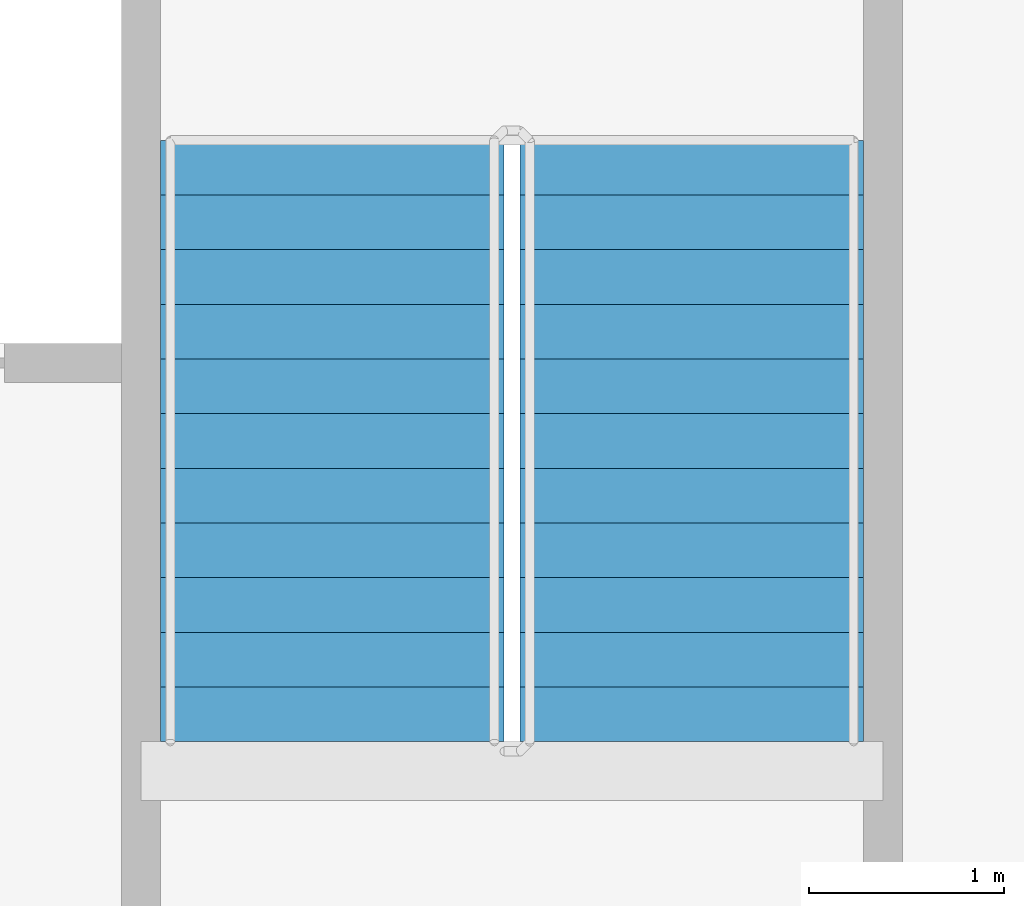
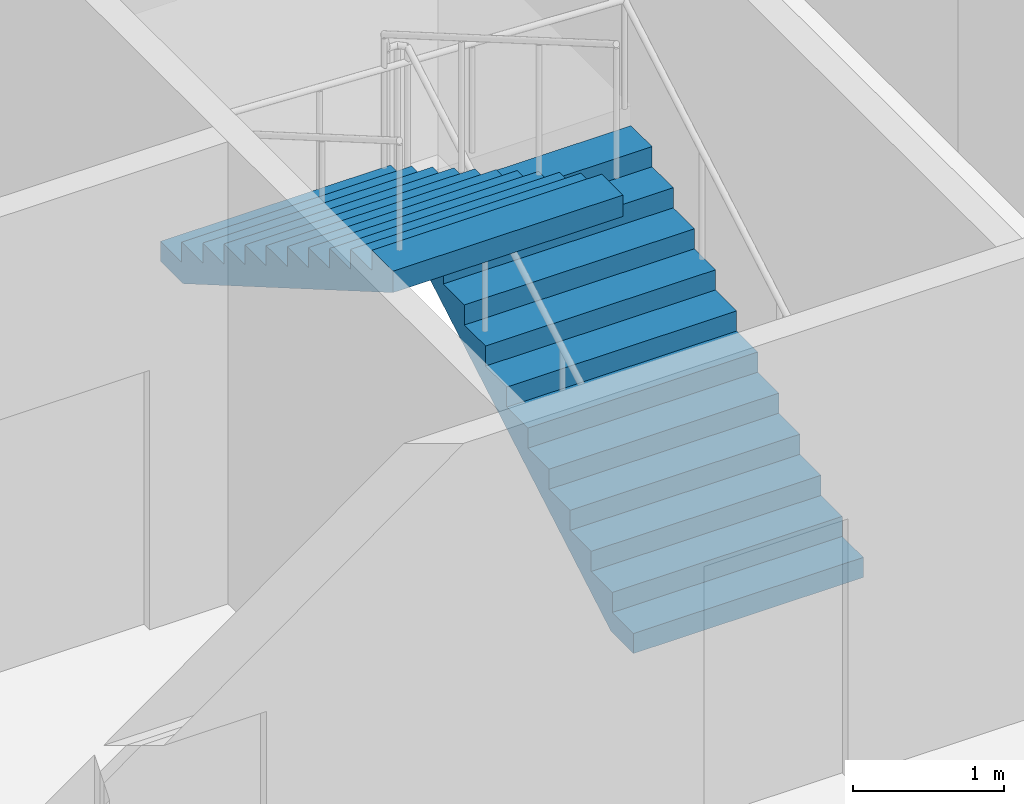
# One storey, part 9 of 14: 2 stair flights, 1 element without a shape of its own.
"""IFC4 building model written with IfcOpenShell, lengths in metres."""

from ifc_helpers import new_model, si_unit, direction, frame, origin, place, context, subcontext, project, spatial, faceted_brep, material, type_object, element, aggregate, save


model = new_model("IFC4")

# Units and contexts
model_context = context("Model", 3, precision=1e-05, world=origin(), true_north=direction((0.0, 1.0)))
body_context = subcontext(model_context, "Body", "Model", "MODEL_VIEW")
ifc_project = project(units=[si_unit("LENGTHUNIT", "METRE"), si_unit("AREAUNIT", "SQUARE_METRE"), si_unit("VOLUMEUNIT", "CUBIC_METRE"), si_unit("PLANEANGLEUNIT", "RADIAN"), si_unit("MASSUNIT", "GRAM", prefix="KILO")], contexts=[model_context])

# Site, building, storey
site_placement = place(None, origin())
site = spatial("IfcSite", under=ifc_project, at=site_placement, CompositionType="ELEMENT")
building_placement = place(site_placement, origin())
building = spatial("IfcBuilding", under=site, at=building_placement, Name="Tarsis Ring Headquarters", CompositionType="ELEMENT")
storey_placement = place(building_placement, frame((0.0, 0.0, 182.699951171875)))
storey = spatial("IfcBuildingStorey", under=building, at=storey_placement, Name="L42", CompositionType="ELEMENT", Elevation=182.699951171875)

# Stair, stair flights
ifc_material_1 = material(Name="Core stair 1760")
stair_type = type_object("IfcStairType", Name="Core stair 1760", PredefinedType="HALF_TURN_STAIR", material=ifc_material_1)
stair_placement = place(storey_placement, origin())
stair = element("IfcStair", 1, at=stair_placement, inside=storey, type_object=stair_type, Name="L42 Exit stair B", PredefinedType="HALF_TURN_STAIR")
ifc_material_2 = material(Name="Concrete C40/50", Category="concrete")
stair_flight_type = type_object("IfcStairFlightType", Name="Core stair flight 1760", PredefinedType="STRAIGHT", material=ifc_material_2)
stair_flight_1_placement = place(storey_placement, frame((5.419921875, 3.659912109375, 0.0), z_axis=(0.0, 0.0, 1.0), x_axis=(0.0, 1.0, 0.0)))
stair_flight_1 = element("IfcStairFlight", 2, at=stair_flight_1_placement, type_object=stair_flight_type, Name="Stair ST2 flight 1", NumberOfRisers=12, NumberOfTreads=11, PredefinedType="STRAIGHT", RiserHeight=0.1625, TreadLength=0.28, context=body_context, shape_type="Brep", body=[
    faceted_brep([(0.0, 0.8798828125, 0.0), (0.0, 0.8798828125, 0.16259765625), (0.280029296875, 0.8798828125, 0.16259765625), (0.280029296875, 0.8798828125, 0.324951171875), (0.56005859375, 0.8798828125, 0.324951171875), (0.56005859375, 0.8798828125, 0.487548828125), (0.840087890625, 0.8798828125, 0.487548828125), (0.840087890625, 0.8798828125, 0.64990234375), (1.1201171875, 0.8798828125, 0.64990234375), (1.1201171875, 0.8798828125, 0.8125), (1.39990234375, 0.8798828125, 0.8125), (1.39990234375, 0.8798828125, 0.97509765625), (1.679931640625, 0.8798828125, 0.97509765625), (1.679931640625, 0.8798828125, 1.137451171875), (1.9599609375, 0.8798828125, 1.137451171875), (1.9599609375, 0.8798828125, 1.300048828125), (2.239990234375, 0.8798828125, 1.300048828125), (2.239990234375, 0.8798828125, 1.46240234375), (2.52001953125, 0.8798828125, 1.46240234375), (2.52001953125, 0.8798828125, 1.625), (2.800048828125, 0.8798828125, 1.625), (2.800048828125, 0.8798828125, 1.78759765625), (3.080078125, 0.8798828125, 1.78759765625), (3.080078125, 0.8798828125, 1.6142578125), (0.298583984375, 0.8798828125, 0.0), (0.298583984375, -0.8798828125, 0.0), (3.080078125, -0.8798828125, 1.6142578125), (3.080078125, -0.8798828125, 1.78759765625), (2.800048828125, -0.8798828125, 1.78759765625), (2.800048828125, -0.8798828125, 1.625), (2.52001953125, -0.8798828125, 1.625), (2.52001953125, -0.8798828125, 1.46240234375), (2.239990234375, -0.8798828125, 1.46240234375), (2.239990234375, -0.8798828125, 1.300048828125), (1.9599609375, -0.8798828125, 1.300048828125), (1.9599609375, -0.8798828125, 1.137451171875), (1.679931640625, -0.8798828125, 1.137451171875), (1.679931640625, -0.8798828125, 0.97509765625), (1.39990234375, -0.8798828125, 0.97509765625), (1.39990234375, -0.8798828125, 0.8125), (1.1201171875, -0.8798828125, 0.8125), (1.1201171875, -0.8798828125, 0.64990234375), (0.840087890625, -0.8798828125, 0.64990234375), (0.840087890625, -0.8798828125, 0.487548828125), (0.56005859375, -0.8798828125, 0.487548828125), (0.56005859375, -0.8798828125, 0.324951171875), (0.280029296875, -0.8798828125, 0.324951171875), (0.280029296875, -0.8798828125, 0.16259765625), (0.0, -0.8798828125, 0.16259765625), (0.0, -0.8798828125, 0.0), (0.0, -0.43994140625, 0.16259765625), (0.0, -0.43994140625, 0.0), (0.0, 0.0, 0.16259765625), (0.0, 0.0, 0.0), (0.0, 0.43994140625, 0.16259765625), (0.0, 0.43994140625, 0.0), (0.280029296875, -0.43994140625, 0.16259765625), (0.280029296875, 0.0, 0.16259765625), (0.280029296875, 0.43994140625, 0.16259765625), (0.280029296875, -0.43994140625, 0.324951171875), (0.280029296875, 0.0, 0.324951171875), (0.280029296875, 0.43994140625, 0.324951171875), (0.56005859375, -0.43994140625, 0.324951171875), (0.56005859375, 0.0, 0.324951171875), (0.56005859375, 0.43994140625, 0.324951171875), (0.56005859375, -0.43994140625, 0.487548828125), (0.56005859375, 0.0, 0.487548828125), (0.56005859375, 0.43994140625, 0.487548828125), (0.840087890625, -0.43994140625, 0.487548828125), (0.840087890625, 0.0, 0.487548828125), (0.840087890625, 0.43994140625, 0.487548828125), (0.840087890625, -0.43994140625, 0.64990234375), (0.840087890625, 0.0, 0.64990234375), (0.840087890625, 0.43994140625, 0.64990234375), (1.1201171875, -0.43994140625, 0.64990234375), (1.1201171875, 0.0, 0.64990234375), (1.1201171875, 0.43994140625, 0.64990234375), (1.1201171875, -0.43994140625, 0.8125), (1.1201171875, 0.0, 0.8125), (1.1201171875, 0.43994140625, 0.8125), (1.39990234375, -0.43994140625, 0.8125), (1.39990234375, 0.0, 0.8125), (1.39990234375, 0.43994140625, 0.8125), (1.39990234375, -0.43994140625, 0.97509765625), (1.39990234375, 0.0, 0.97509765625), (1.39990234375, 0.43994140625, 0.97509765625), (1.679931640625, -0.43994140625, 0.97509765625), (1.679931640625, 0.0, 0.97509765625), (1.679931640625, 0.43994140625, 0.97509765625), (1.679931640625, -0.43994140625, 1.137451171875), (1.679931640625, 0.0, 1.137451171875), (1.679931640625, 0.43994140625, 1.137451171875), (1.9599609375, -0.43994140625, 1.137451171875), (1.9599609375, 0.0, 1.137451171875), (1.9599609375, 0.43994140625, 1.137451171875), (1.9599609375, -0.43994140625, 1.300048828125), (1.9599609375, 0.0, 1.300048828125), (1.9599609375, 0.43994140625, 1.300048828125), (2.239990234375, -0.43994140625, 1.300048828125), (2.239990234375, 0.0, 1.300048828125), (2.239990234375, 0.43994140625, 1.300048828125), (2.239990234375, -0.43994140625, 1.46240234375), (2.239990234375, 0.0, 1.46240234375), (2.239990234375, 0.43994140625, 1.46240234375), (2.52001953125, -0.43994140625, 1.46240234375), (2.52001953125, 0.0, 1.46240234375), (2.52001953125, 0.43994140625, 1.46240234375), (2.52001953125, -0.43994140625, 1.625), (2.52001953125, 0.0, 1.625), (2.52001953125, 0.43994140625, 1.625), (2.800048828125, -0.43994140625, 1.625), (2.800048828125, 0.0, 1.625), (2.800048828125, 0.43994140625, 1.625), (2.800048828125, -0.43994140625, 1.78759765625), (2.800048828125, 0.0, 1.78759765625), (2.800048828125, 0.43994140625, 1.78759765625), (3.080078125, -0.43994140625, 1.78759765625), (3.080078125, 0.0, 1.78759765625), (3.080078125, 0.43994140625, 1.78759765625), (3.080078125, -0.43994140625, 1.6142578125), (3.080078125, 0.0, 1.6142578125), (3.080078125, 0.43994140625, 1.6142578125), (0.298583984375, -0.43994140625, 0.0), (0.298583984375, 0.0, 0.0), (0.298583984375, 0.43994140625, 0.0)], [[[0, 1, 2, 3, 4, 5, 6, 7, 8, 9, 10, 11, 12, 13, 14, 15, 16, 17, 18, 19, 20, 21, 22, 23, 24]], [[25, 26, 27, 28, 29, 30, 31, 32, 33, 34, 35, 36, 37, 38, 39, 40, 41, 42, 43, 44, 45, 46, 47, 48, 49]], [[49, 48, 50, 51]], [[51, 50, 52, 53]], [[53, 52, 54, 55]], [[55, 54, 1, 0]], [[48, 47, 56, 50]], [[50, 56, 57, 52]], [[52, 57, 58, 54]], [[54, 58, 2, 1]], [[47, 46, 59, 56]], [[56, 59, 60, 57]], [[57, 60, 61, 58]], [[58, 61, 3, 2]], [[46, 45, 62, 59]], [[59, 62, 63, 60]], [[60, 63, 64, 61]], [[61, 64, 4, 3]], [[45, 44, 65, 62]], [[62, 65, 66, 63]], [[63, 66, 67, 64]], [[64, 67, 5, 4]], [[44, 43, 68, 65]], [[65, 68, 69, 66]], [[66, 69, 70, 67]], [[67, 70, 6, 5]], [[43, 42, 71, 68]], [[68, 71, 72, 69]], [[69, 72, 73, 70]], [[70, 73, 7, 6]], [[42, 41, 74, 71]], [[71, 74, 75, 72]], [[72, 75, 76, 73]], [[73, 76, 8, 7]], [[41, 40, 77, 74]], [[74, 77, 78, 75]], [[75, 78, 79, 76]], [[76, 79, 9, 8]], [[40, 39, 80, 77]], [[77, 80, 81, 78]], [[78, 81, 82, 79]], [[79, 82, 10, 9]], [[39, 38, 83, 80]], [[80, 83, 84, 81]], [[81, 84, 85, 82]], [[82, 85, 11, 10]], [[38, 37, 86, 83]], [[83, 86, 87, 84]], [[84, 87, 88, 85]], [[85, 88, 12, 11]], [[37, 36, 89, 86]], [[86, 89, 90, 87]], [[87, 90, 91, 88]], [[88, 91, 13, 12]], [[36, 35, 92, 89]], [[89, 92, 93, 90]], [[90, 93, 94, 91]], [[91, 94, 14, 13]], [[35, 34, 95, 92]], [[92, 95, 96, 93]], [[93, 96, 97, 94]], [[94, 97, 15, 14]], [[34, 33, 98, 95]], [[95, 98, 99, 96]], [[96, 99, 100, 97]], [[97, 100, 16, 15]], [[33, 32, 101, 98]], [[98, 101, 102, 99]], [[99, 102, 103, 100]], [[100, 103, 17, 16]], [[32, 31, 104, 101]], [[101, 104, 105, 102]], [[102, 105, 106, 103]], [[103, 106, 18, 17]], [[31, 30, 107, 104]], [[104, 107, 108, 105]], [[105, 108, 109, 106]], [[106, 109, 19, 18]], [[30, 29, 110, 107]], [[107, 110, 111, 108]], [[108, 111, 112, 109]], [[109, 112, 20, 19]], [[29, 28, 113, 110]], [[110, 113, 114, 111]], [[111, 114, 115, 112]], [[112, 115, 21, 20]], [[28, 27, 116, 113]], [[113, 116, 117, 114]], [[114, 117, 118, 115]], [[115, 118, 22, 21]], [[27, 26, 119, 116]], [[116, 119, 120, 117]], [[117, 120, 121, 118]], [[118, 121, 23, 22]], [[26, 25, 122, 119]], [[119, 122, 123, 120]], [[120, 123, 124, 121]], [[121, 124, 24, 23]], [[25, 49, 51, 122]], [[122, 51, 53, 123]], [[123, 53, 55, 124]], [[124, 55, 0, 24]]]),
])
stair_flight_2_placement = place(storey_placement, frame((3.580078125, 6.739990234375, 1.949951171875), z_axis=(0.0, 0.0, 1.0), x_axis=(0.0, -1.0, 0.0)))
stair_flight_2 = element("IfcStairFlight", 3, at=stair_flight_2_placement, type_object=stair_flight_type, Name="Stair ST2 flight 2", NumberOfRisers=12, NumberOfTreads=11, PredefinedType="STRAIGHT", RiserHeight=0.1625, TreadLength=0.28, context=body_context, shape_type="Brep", body=[
    faceted_brep([(0.0, 0.8798828125, 0.0), (0.0, 0.8798828125, 0.16259765625), (0.280029296875, 0.8798828125, 0.16259765625), (0.280029296875, 0.8798828125, 0.324951171875), (0.56005859375, 0.8798828125, 0.324951171875), (0.56005859375, 0.8798828125, 0.487548828125), (0.840087890625, 0.8798828125, 0.487548828125), (0.840087890625, 0.8798828125, 0.64990234375), (1.1201171875, 0.8798828125, 0.64990234375), (1.1201171875, 0.8798828125, 0.8125), (1.39990234375, 0.8798828125, 0.8125), (1.39990234375, 0.8798828125, 0.97509765625), (1.679931640625, 0.8798828125, 0.97509765625), (1.679931640625, 0.8798828125, 1.137451171875), (1.9599609375, 0.8798828125, 1.137451171875), (1.9599609375, 0.8798828125, 1.300048828125), (2.239990234375, 0.8798828125, 1.300048828125), (2.239990234375, 0.8798828125, 1.46240234375), (2.52001953125, 0.8798828125, 1.46240234375), (2.52001953125, 0.8798828125, 1.625), (2.800048828125, 0.8798828125, 1.625), (2.800048828125, 0.8798828125, 1.78759765625), (3.080078125, 0.8798828125, 1.78759765625), (3.080078125, 0.8798828125, 1.6142578125), (0.298583984375, 0.8798828125, 0.0), (0.298583984375, -0.8798828125, 0.0), (3.080078125, -0.8798828125, 1.6142578125), (3.080078125, -0.8798828125, 1.78759765625), (2.800048828125, -0.8798828125, 1.78759765625), (2.800048828125, -0.8798828125, 1.625), (2.52001953125, -0.8798828125, 1.625), (2.52001953125, -0.8798828125, 1.46240234375), (2.239990234375, -0.8798828125, 1.46240234375), (2.239990234375, -0.8798828125, 1.300048828125), (1.9599609375, -0.8798828125, 1.300048828125), (1.9599609375, -0.8798828125, 1.137451171875), (1.679931640625, -0.8798828125, 1.137451171875), (1.679931640625, -0.8798828125, 0.97509765625), (1.39990234375, -0.8798828125, 0.97509765625), (1.39990234375, -0.8798828125, 0.8125), (1.1201171875, -0.8798828125, 0.8125), (1.1201171875, -0.8798828125, 0.64990234375), (0.840087890625, -0.8798828125, 0.64990234375), (0.840087890625, -0.8798828125, 0.487548828125), (0.56005859375, -0.8798828125, 0.487548828125), (0.56005859375, -0.8798828125, 0.324951171875), (0.280029296875, -0.8798828125, 0.324951171875), (0.280029296875, -0.8798828125, 0.16259765625), (0.0, -0.8798828125, 0.16259765625), (0.0, -0.8798828125, 0.0), (0.0, -0.43994140625, 0.16259765625), (0.0, -0.43994140625, 0.0), (0.0, 0.0, 0.16259765625), (0.0, 0.0, 0.0), (0.0, 0.43994140625, 0.16259765625), (0.0, 0.43994140625, 0.0), (0.280029296875, -0.43994140625, 0.16259765625), (0.280029296875, 0.0, 0.16259765625), (0.280029296875, 0.43994140625, 0.16259765625), (0.280029296875, -0.43994140625, 0.324951171875), (0.280029296875, 0.0, 0.324951171875), (0.280029296875, 0.43994140625, 0.324951171875), (0.56005859375, -0.43994140625, 0.324951171875), (0.56005859375, 0.0, 0.324951171875), (0.56005859375, 0.43994140625, 0.324951171875), (0.56005859375, -0.43994140625, 0.487548828125), (0.56005859375, 0.0, 0.487548828125), (0.56005859375, 0.43994140625, 0.487548828125), (0.840087890625, -0.43994140625, 0.487548828125), (0.840087890625, 0.0, 0.487548828125), (0.840087890625, 0.43994140625, 0.487548828125), (0.840087890625, -0.43994140625, 0.64990234375), (0.840087890625, 0.0, 0.64990234375), (0.840087890625, 0.43994140625, 0.64990234375), (1.1201171875, -0.43994140625, 0.64990234375), (1.1201171875, 0.0, 0.64990234375), (1.1201171875, 0.43994140625, 0.64990234375), (1.1201171875, -0.43994140625, 0.8125), (1.1201171875, 0.0, 0.8125), (1.1201171875, 0.43994140625, 0.8125), (1.39990234375, -0.43994140625, 0.8125), (1.39990234375, 0.0, 0.8125), (1.39990234375, 0.43994140625, 0.8125), (1.39990234375, -0.43994140625, 0.97509765625), (1.39990234375, 0.0, 0.97509765625), (1.39990234375, 0.43994140625, 0.97509765625), (1.679931640625, -0.43994140625, 0.97509765625), (1.679931640625, 0.0, 0.97509765625), (1.679931640625, 0.43994140625, 0.97509765625), (1.679931640625, -0.43994140625, 1.137451171875), (1.679931640625, 0.0, 1.137451171875), (1.679931640625, 0.43994140625, 1.137451171875), (1.9599609375, -0.43994140625, 1.137451171875), (1.9599609375, 0.0, 1.137451171875), (1.9599609375, 0.43994140625, 1.137451171875), (1.9599609375, -0.43994140625, 1.300048828125), (1.9599609375, 0.0, 1.300048828125), (1.9599609375, 0.43994140625, 1.300048828125), (2.239990234375, -0.43994140625, 1.300048828125), (2.239990234375, 0.0, 1.300048828125), (2.239990234375, 0.43994140625, 1.300048828125), (2.239990234375, -0.43994140625, 1.46240234375), (2.239990234375, 0.0, 1.46240234375), (2.239990234375, 0.43994140625, 1.46240234375), (2.52001953125, -0.43994140625, 1.46240234375), (2.52001953125, 0.0, 1.46240234375), (2.52001953125, 0.43994140625, 1.46240234375), (2.52001953125, -0.43994140625, 1.625), (2.52001953125, 0.0, 1.625), (2.52001953125, 0.43994140625, 1.625), (2.800048828125, -0.43994140625, 1.625), (2.800048828125, 0.0, 1.625), (2.800048828125, 0.43994140625, 1.625), (2.800048828125, -0.43994140625, 1.78759765625), (2.800048828125, 0.0, 1.78759765625), (2.800048828125, 0.43994140625, 1.78759765625), (3.080078125, -0.43994140625, 1.78759765625), (3.080078125, 0.0, 1.78759765625), (3.080078125, 0.43994140625, 1.78759765625), (3.080078125, -0.43994140625, 1.6142578125), (3.080078125, 0.0, 1.6142578125), (3.080078125, 0.43994140625, 1.6142578125), (0.298583984375, -0.43994140625, 0.0), (0.298583984375, 0.0, 0.0), (0.298583984375, 0.43994140625, 0.0)], [[[0, 1, 2, 3, 4, 5, 6, 7, 8, 9, 10, 11, 12, 13, 14, 15, 16, 17, 18, 19, 20, 21, 22, 23, 24]], [[25, 26, 27, 28, 29, 30, 31, 32, 33, 34, 35, 36, 37, 38, 39, 40, 41, 42, 43, 44, 45, 46, 47, 48, 49]], [[49, 48, 50, 51]], [[51, 50, 52, 53]], [[53, 52, 54, 55]], [[55, 54, 1, 0]], [[48, 47, 56, 50]], [[50, 56, 57, 52]], [[52, 57, 58, 54]], [[54, 58, 2, 1]], [[47, 46, 59, 56]], [[56, 59, 60, 57]], [[57, 60, 61, 58]], [[58, 61, 3, 2]], [[46, 45, 62, 59]], [[59, 62, 63, 60]], [[60, 63, 64, 61]], [[61, 64, 4, 3]], [[45, 44, 65, 62]], [[62, 65, 66, 63]], [[63, 66, 67, 64]], [[64, 67, 5, 4]], [[44, 43, 68, 65]], [[65, 68, 69, 66]], [[66, 69, 70, 67]], [[67, 70, 6, 5]], [[43, 42, 71, 68]], [[68, 71, 72, 69]], [[69, 72, 73, 70]], [[70, 73, 7, 6]], [[42, 41, 74, 71]], [[71, 74, 75, 72]], [[72, 75, 76, 73]], [[73, 76, 8, 7]], [[41, 40, 77, 74]], [[74, 77, 78, 75]], [[75, 78, 79, 76]], [[76, 79, 9, 8]], [[40, 39, 80, 77]], [[77, 80, 81, 78]], [[78, 81, 82, 79]], [[79, 82, 10, 9]], [[39, 38, 83, 80]], [[80, 83, 84, 81]], [[81, 84, 85, 82]], [[82, 85, 11, 10]], [[38, 37, 86, 83]], [[83, 86, 87, 84]], [[84, 87, 88, 85]], [[85, 88, 12, 11]], [[37, 36, 89, 86]], [[86, 89, 90, 87]], [[87, 90, 91, 88]], [[88, 91, 13, 12]], [[36, 35, 92, 89]], [[89, 92, 93, 90]], [[90, 93, 94, 91]], [[91, 94, 14, 13]], [[35, 34, 95, 92]], [[92, 95, 96, 93]], [[93, 96, 97, 94]], [[94, 97, 15, 14]], [[34, 33, 98, 95]], [[95, 98, 99, 96]], [[96, 99, 100, 97]], [[97, 100, 16, 15]], [[33, 32, 101, 98]], [[98, 101, 102, 99]], [[99, 102, 103, 100]], [[100, 103, 17, 16]], [[32, 31, 104, 101]], [[101, 104, 105, 102]], [[102, 105, 106, 103]], [[103, 106, 18, 17]], [[31, 30, 107, 104]], [[104, 107, 108, 105]], [[105, 108, 109, 106]], [[106, 109, 19, 18]], [[30, 29, 110, 107]], [[107, 110, 111, 108]], [[108, 111, 112, 109]], [[109, 112, 20, 19]], [[29, 28, 113, 110]], [[110, 113, 114, 111]], [[111, 114, 115, 112]], [[112, 115, 21, 20]], [[28, 27, 116, 113]], [[113, 116, 117, 114]], [[114, 117, 118, 115]], [[115, 118, 22, 21]], [[27, 26, 119, 116]], [[116, 119, 120, 117]], [[117, 120, 121, 118]], [[118, 121, 23, 22]], [[26, 25, 122, 119]], [[119, 122, 123, 120]], [[120, 123, 124, 121]], [[121, 124, 24, 23]], [[25, 49, 51, 122]], [[122, 51, 53, 123]], [[123, 53, 55, 124]], [[124, 55, 0, 24]]]),
])
aggregate(stair, [stair_flight_1, stair_flight_2])

save(model, "model.ifc")
